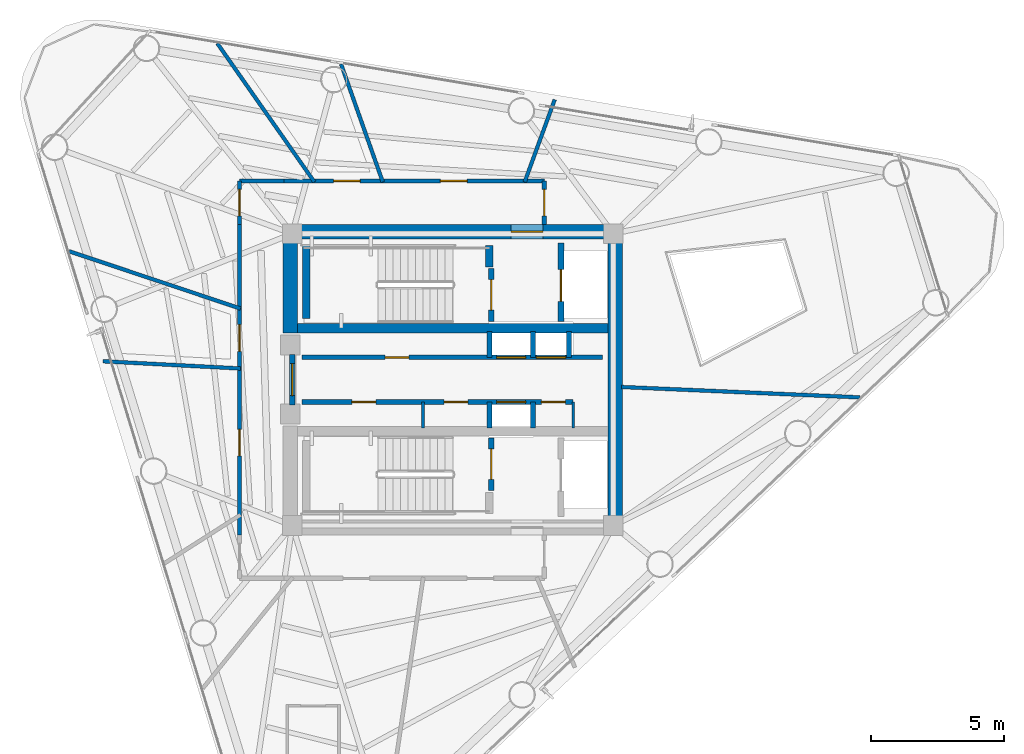
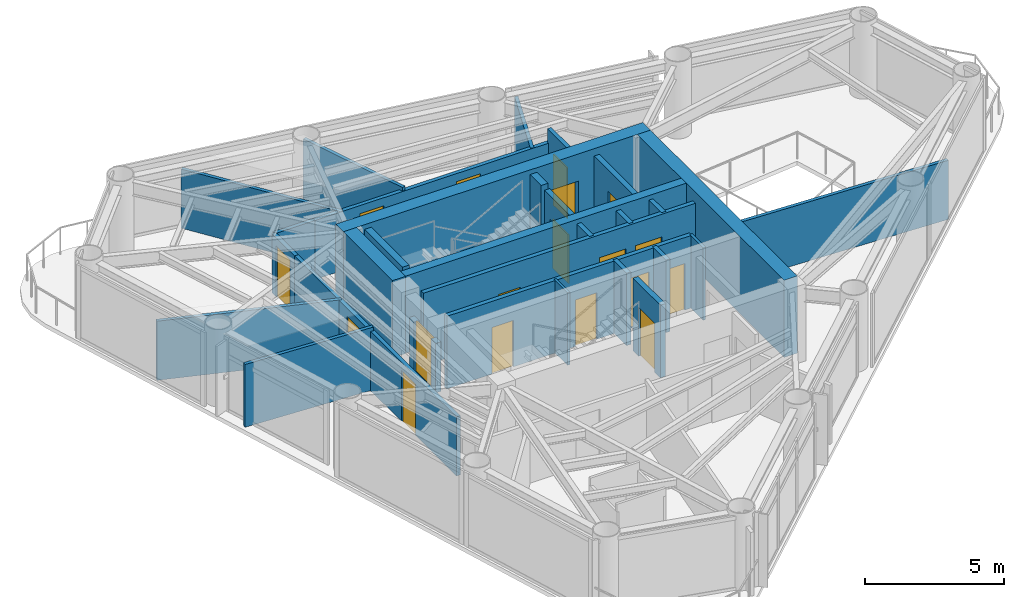
# One storey, part 6 of 9: 30 walls, 18 doors, 18 openings.
"""IFC4 building model written with IfcOpenShell, lengths in metres."""

from ifc_helpers import new_model, si_unit, direction, frame, frame_2d, origin, place, context, subcontext, project, spatial, rectangle, extrude, material, layer, layer_set, type_object, element, fill, save


model = new_model("IFC4")

# Units and contexts
model_context = context("Model", 3, precision=1e-05, world=origin(), true_north=direction((0.0, 1.0)))
body_context = subcontext(model_context, "Body", "Model", "MODEL_VIEW")
ifc_project = project(units=[si_unit("LENGTHUNIT", "METRE"), si_unit("AREAUNIT", "SQUARE_METRE"), si_unit("VOLUMEUNIT", "CUBIC_METRE"), si_unit("PLANEANGLEUNIT", "RADIAN"), si_unit("MASSUNIT", "GRAM", prefix="KILO")], contexts=[model_context])

# Site, building, storey
site_placement = place(None, origin())
site = spatial("IfcSite", under=ifc_project, at=site_placement, CompositionType="ELEMENT")
building_placement = place(site_placement, origin())
building = spatial("IfcBuilding", under=site, at=building_placement, Name="Yunling Apex Tower", CompositionType="ELEMENT")
storey_placement = place(building_placement, frame((0.0, 0.0, 228.64990234375)))
storey = spatial("IfcBuildingStorey", under=building, at=storey_placement, Name="L55", CompositionType="ELEMENT", Elevation=228.64990234375)

# Wall, opening, door
ifc_material_1 = material(Name="Concrete C40", Category="concrete")
ifc_layer_1 = layer(ifc_material_1, 0.550048828125)
ifc_layer_set_1 = layer_set([ifc_layer_1], Name="Concrete C40")
wall_type_1 = type_object("IfcWallType", Name="WL-COR-3", PredefinedType="SHEAR", material=ifc_layer_set_1)
wall_1_placement = place(storey_placement, frame((-6.39990234375, 5.574951171875, 0.0), z_axis=(0.0, 0.0, 1.0), x_axis=(1.0, 0.0, 0.0)))
wall_1 = element("IfcWall", 1, at=wall_1_placement, inside=storey, type_object=wall_type_1, Name="L55 North Core Shear Wall", PredefinedType="SHEAR", context=body_context, shape_type="SweptSolid", body=[
    extrude(rectangle(XDim=12.7998046875, YDim=0.550048828125, at=frame_2d((6.39990234375, 0.0))), origin(), (0.0, 0.0, 1.0), 3.400146484375),
])
opening_1_placement = place(wall_1_placement, frame((8.60009765625, 0.0, 0.0)))
opening_1 = element("IfcOpeningElement", 2, at=opening_1_placement, cuts=wall_1, Name="Opening DR-FFL-1", PredefinedType="OPENING", context=body_context, shape_type="SweptSolid", body=[
    extrude(rectangle(XDim=1.199951171875, YDim=2.199951171875, at=frame_2d((0.60009765625, 1.10009765625))), frame((0.0, 0.28515625, 0.0), z_axis=(0.0, -1.0, 0.0), x_axis=(1.0, 0.0, 0.0)), (0.0, 0.0, 1.0), 0.570068359375),
])
ifc_material_2 = material(Name="Steel Q355B", Category="steel")
door_type_1 = type_object("IfcDoorType", Name="DR-FFL-1", OperationType="NOTDEFINED", PredefinedType="DOOR", material=ifc_material_2)
door_1_placement = place(opening_1_placement, origin())
door_1 = element("IfcDoor", 3, at=door_1_placement, inside=storey, type_object=door_type_1, Name="L55 North Firefighting Lobby Door", OperationType="SINGLE_SWING_LEFT", OverallHeight=2.199951171875, OverallWidth=1.199951171875, PredefinedType="DOOR", context=body_context, shape_type="SweptSolid", body=[
    extrude(rectangle(XDim=1.199951171875, YDim=2.199951171875, at=frame_2d((0.60009765625, 1.10009765625))), frame((0.0, 0.02490234375, 0.0), z_axis=(0.0, -1.0, 0.0), x_axis=(1.0, 0.0, 0.0)), (0.0, 0.0, 1.0), 0.050048828125),
])
fill(opening_1, door_1)

# Walls
wall_2_placement = place(storey_placement, frame((6.125, -5.300048828125, 0.0), z_axis=(0.0, 0.0, 1.0), x_axis=(0.0, 1.0, 0.0)))
element("IfcWall", 4, at=wall_2_placement, inside=storey, type_object=wall_type_1, Name="L55 East Core Shear Wall", PredefinedType="SHEAR", context=body_context, shape_type="SweptSolid", body=[
    extrude(rectangle(XDim=10.60009765625, YDim=0.550048828125, at=frame_2d((5.300048828125, 0.0))), origin(), (0.0, 0.0, 1.0), 3.400146484375),
])
wall_3_placement = place(storey_placement, frame((-6.125, 1.75, 0.0), z_axis=(0.0, 0.0, 1.0), x_axis=(0.0, 1.0, 0.0)))
element("IfcWall", 5, at=wall_3_placement, inside=storey, type_object=wall_type_1, Name="L55 West-North Core Shear Wall", PredefinedType="SHEAR", context=body_context, shape_type="SweptSolid", body=[
    extrude(rectangle(XDim=3.550048828125, YDim=0.550048828125, at=frame_2d((1.77490234375, 0.0))), origin(), (0.0, 0.0, 1.0), 3.400146484375),
])
ifc_layer_2 = layer(ifc_material_1, 0.360107421875)
ifc_layer_set_2 = layer_set([ifc_layer_2], Name="Concrete C40")
wall_type_2 = type_object("IfcWallType", Name="WL-COR-4", PredefinedType="SHEAR", material=ifc_layer_set_2)
wall_4_placement = place(storey_placement, frame((-5.85009765625, 1.93994140625, 0.0), z_axis=(0.0, 0.0, 1.0), x_axis=(1.0, 0.0, 0.0)))
element("IfcWall", 6, at=wall_4_placement, inside=storey, type_object=wall_type_2, Name="L55 North Internal Core Shear Wall", PredefinedType="SHEAR", context=body_context, shape_type="SweptSolid", body=[
    extrude(rectangle(XDim=11.7001953125, YDim=0.360107421875, at=frame_2d((5.85009765625, 0.0))), origin(), (0.0, 0.0, 1.0), 3.400146484375),
])
ifc_layer_3 = layer(ifc_material_1, 0.280029296875)
ifc_layer_set_3 = layer_set([ifc_layer_3], Name="Concrete C40")
wall_type_3 = type_object("IfcWallType", Name="WL-COR-8", PredefinedType="SHEAR", material=ifc_layer_set_3)
wall_5_placement = place(storey_placement, frame((-5.52001953125, 2.300048828125, 0.0), z_axis=(0.0, 0.0, 1.0), x_axis=(0.0, 1.0, 0.0)))
element("IfcWall", 7, at=wall_5_placement, inside=storey, type_object=wall_type_3, Name="L55 ST-1 West Landing Bearing Wall", PredefinedType="SHEAR", context=body_context, shape_type="SweptSolid", body=[
    extrude(rectangle(XDim=2.75, YDim=0.280029296875, at=frame_2d((1.375, 0.0))), origin(), (0.0, 0.0, 1.0), 3.400146484375),
])
wall_6_placement = place(storey_placement, frame((1.3798828125, 4.25, 0.0), z_axis=(0.0, 0.0, 1.0), x_axis=(0.0, 1.0, 0.0)))
element("IfcWall", 8, at=wall_6_placement, inside=storey, type_object=wall_type_3, Name="L55 ST-1 East Landing Bearing Pier", PredefinedType="SHEAR", context=body_context, shape_type="SweptSolid", body=[
    extrude(rectangle(XDim=0.800048828125, YDim=0.280029296875, at=frame_2d((0.39990234375, 0.0))), origin(), (0.0, 0.0, 1.0), 3.400146484375),
])

# Wall, opening, door
ifc_material_3 = material(Name="Gypsum board acoustic partition")
ifc_layer_4 = layer(ifc_material_3, 0.159912109375)
ifc_layer_set_4 = layer_set([ifc_layer_4], Name="Gypsum board acoustic partition")
wall_type_4 = type_object("IfcWallType", Name="WL-PRT-1", PredefinedType="PARTITIONING", material=ifc_layer_set_4)
wall_7_placement = place(storey_placement, frame((-8.0400390625, 5.85009765625, 0.0), z_axis=(0.0, 0.0, 1.0), x_axis=(0.0, 1.0, 0.0)))
wall_7 = element("IfcWall", 9, at=wall_7_placement, inside=storey, type_object=wall_type_4, Name="WL-CORR-L55-01", PredefinedType="PARTITIONING", context=body_context, shape_type="SweptSolid", body=[
    extrude(rectangle(XDim=1.639892578125, YDim=0.159912109375, at=frame_2d((0.81982421875, 0.0))), origin(), (0.0, 0.0, 1.0), 2.60498046875),
])
opening_2_placement = place(wall_7_placement, frame((0.320068359375, 0.0, 0.0)))
opening_2 = element("IfcOpeningElement", 10, at=opening_2_placement, cuts=wall_7, Name="Opening DR-OFF-1", PredefinedType="OPENING", context=body_context, shape_type="SweptSolid", body=[
    extrude(rectangle(XDim=1.0, YDim=2.25, at=frame_2d((0.5, 1.125))), frame((0.0, 0.08984375, 0.0), z_axis=(0.0, -1.0, 0.0), x_axis=(1.0, 0.0, 0.0)), (0.0, 0.0, 1.0), 0.179931640625),
])
ifc_material_4 = material(Name="Bronze anodised aluminium", Category="aluminium")
door_type_2 = type_object("IfcDoorType", Name="DR-OFF-1", OperationType="NOTDEFINED", PredefinedType="DOOR", material=ifc_material_4)
door_2_placement = place(opening_2_placement, origin())
door_2 = element("IfcDoor", 11, at=door_2_placement, inside=storey, type_object=door_type_2, Name="L55 Residents Sky Reading Lounge Door", OperationType="SINGLE_SWING_LEFT", OverallHeight=2.25, OverallWidth=1.0, PredefinedType="DOOR", context=body_context, shape_type="SweptSolid", body=[
    extrude(rectangle(XDim=1.0, YDim=2.25, at=frame_2d((0.5, 1.125))), frame((0.0, 0.02490234375, 0.0), z_axis=(0.0, -1.0, 0.0), x_axis=(1.0, 0.0, 0.0)), (0.0, 0.0, 1.0), 0.050048828125),
])
fill(opening_2, door_2)

# Wall
wall_8_placement = place(storey_placement, frame((-8.0400390625, 7.489990234375, 0.0), z_axis=(0.0, 0.0, 1.0), x_axis=(1.0, 0.0, 0.0)))
element("IfcWall", 12, at=wall_8_placement, inside=storey, type_object=wall_type_4, Name="WL-CORR-L55-02", PredefinedType="PARTITIONING", context=body_context, shape_type="SweptSolid", body=[
    extrude(rectangle(XDim=1.679931640625, YDim=0.159912109375, at=frame_2d((0.83984375, 0.0))), origin(), (0.0, 0.0, 1.0), 2.60498046875),
])

# Wall, openings, doors
wall_9_placement = place(storey_placement, frame((-6.360107421875, 7.489990234375, 0.0), z_axis=(0.0, 0.0, 1.0), x_axis=(1.0, 0.0, 0.0)))
wall_9 = element("IfcWall", 13, at=wall_9_placement, inside=storey, type_object=wall_type_4, Name="WL-CORR-L55-03", PredefinedType="PARTITIONING", context=body_context, shape_type="SweptSolid", body=[
    extrude(rectangle(XDim=9.81005859375, YDim=0.159912109375, at=frame_2d((4.905029296875, 0.0))), origin(), (0.0, 0.0, 1.0), 2.60498046875),
])
opening_3_placement = place(wall_9_placement, frame((1.866943359375, 0.0, 0.0)))
opening_3 = element("IfcOpeningElement", 14, at=opening_3_placement, cuts=wall_9, Name="Opening DR-OFF-1", PredefinedType="OPENING", context=body_context, shape_type="SweptSolid", body=[
    extrude(rectangle(XDim=1.0, YDim=2.25, at=frame_2d((0.5, 1.125))), frame((0.0, 0.08984375, 0.0), z_axis=(0.0, -1.0, 0.0), x_axis=(1.0, 0.0, 0.0)), (0.0, 0.0, 1.0), 0.179931640625),
])
opening_4_placement = place(wall_9_placement, frame((5.897216796875, 0.0, 0.0)))
opening_4 = element("IfcOpeningElement", 15, at=opening_4_placement, cuts=wall_9, Name="Opening DR-OFF-1", PredefinedType="OPENING", context=body_context, shape_type="SweptSolid", body=[
    extrude(rectangle(XDim=1.0, YDim=2.25, at=frame_2d((0.5, 1.125))), frame((0.0, 0.08984375, 0.0), z_axis=(0.0, -1.0, 0.0), x_axis=(1.0, 0.0, 0.0)), (0.0, 0.0, 1.0), 0.179931640625),
])
door_3_placement = place(opening_3_placement, origin())
door_3 = element("IfcDoor", 16, at=door_3_placement, inside=storey, type_object=door_type_2, Name="L55 Residents Fitness Club Door", OperationType="SINGLE_SWING_RIGHT", OverallHeight=2.25, OverallWidth=1.0, PredefinedType="DOOR", context=body_context, shape_type="SweptSolid", body=[
    extrude(rectangle(XDim=1.0, YDim=2.25, at=frame_2d((0.5, 1.125))), frame((0.0, 0.02490234375, 0.0), z_axis=(0.0, -1.0, 0.0), x_axis=(1.0, 0.0, 0.0)), (0.0, 0.0, 1.0), 0.050048828125),
])
fill(opening_3, door_3)
door_4_placement = place(opening_4_placement, origin())
door_4 = element("IfcDoor", 17, at=door_4_placement, inside=storey, type_object=door_type_2, Name="L55 Residents Sky Reading Lounge Door", OperationType="SINGLE_SWING_LEFT", OverallHeight=2.25, OverallWidth=1.0, PredefinedType="DOOR", context=body_context, shape_type="SweptSolid", body=[
    extrude(rectangle(XDim=1.0, YDim=2.25, at=frame_2d((0.5, 1.125))), frame((0.0, 0.02490234375, 0.0), z_axis=(0.0, -1.0, 0.0), x_axis=(1.0, 0.0, 0.0)), (0.0, 0.0, 1.0), 0.050048828125),
])
fill(opening_4, door_4)

# Wall, opening, door
wall_10_placement = place(storey_placement, frame((3.449951171875, 7.489990234375, 0.0), z_axis=(0.0, 0.0, 1.0), x_axis=(0.0, -1.0, 0.0)))
wall_10 = element("IfcWall", 18, at=wall_10_placement, inside=storey, type_object=wall_type_4, Name="WL-CORR-L55-04", PredefinedType="PARTITIONING", context=body_context, shape_type="SweptSolid", body=[
    extrude(rectangle(XDim=1.639892578125, YDim=0.159912109375, at=frame_2d((0.81982421875, 0.0))), origin(), (0.0, 0.0, 1.0), 3.2001953125),
])
opening_5_placement = place(wall_10_placement, frame((0.320068359375, 0.0, 0.0)))
opening_5 = element("IfcOpeningElement", 19, at=opening_5_placement, cuts=wall_10, Name="Opening DR-OFF-1", PredefinedType="OPENING", context=body_context, shape_type="SweptSolid", body=[
    extrude(rectangle(XDim=1.0, YDim=2.25, at=frame_2d((0.5, 1.125))), frame((0.0, 0.08984375, 0.0), z_axis=(0.0, -1.0, 0.0), x_axis=(1.0, 0.0, 0.0)), (0.0, 0.0, 1.0), 0.179931640625),
])
door_5_placement = place(opening_5_placement, origin())
door_5 = element("IfcDoor", 20, at=door_5_placement, inside=storey, type_object=door_type_2, Name="L55 Residents Fitness Club Door", OperationType="SINGLE_SWING_RIGHT", OverallHeight=2.25, OverallWidth=1.0, PredefinedType="DOOR", context=body_context, shape_type="SweptSolid", body=[
    extrude(rectangle(XDim=1.0, YDim=2.25, at=frame_2d((0.5, 1.125))), frame((0.0, 0.02490234375, 0.0), z_axis=(0.0, -1.0, 0.0), x_axis=(1.0, 0.0, 0.0)), (0.0, 0.0, 1.0), 0.050048828125),
])
fill(opening_5, door_5)

# Wall, openings, doors
wall_11_placement = place(storey_placement, frame((-8.0400390625, -5.85009765625, 0.0), z_axis=(0.0, 0.0, 1.0), x_axis=(0.0, 1.0, 0.0)))
wall_11 = element("IfcWall", 21, at=wall_11_placement, inside=storey, type_object=wall_type_4, Name="WL-CORR-L55-09", PredefinedType="PARTITIONING", context=body_context, shape_type="SweptSolid", body=[
    extrude(rectangle(XDim=11.7001953125, YDim=0.159912109375, at=frame_2d((5.85009765625, 0.0))), origin(), (0.0, 0.0, 1.0), 2.60498046875),
])
opening_6_placement = place(wall_11_placement, frame((2.97705078125, 0.0, 0.0)))
opening_6 = element("IfcOpeningElement", 22, at=opening_6_placement, cuts=wall_11, Name="Opening DR-OFF-1", PredefinedType="OPENING", context=body_context, shape_type="SweptSolid", body=[
    extrude(rectangle(XDim=1.0, YDim=2.25, at=frame_2d((0.5, 1.125))), frame((0.0, 0.08984375, 0.0), z_axis=(0.0, -1.0, 0.0), x_axis=(1.0, 0.0, 0.0)), (0.0, 0.0, 1.0), 0.179931640625),
])
opening_7_placement = place(wall_11_placement, frame((6.91943359375, 0.0, 0.0)))
opening_7 = element("IfcOpeningElement", 23, at=opening_7_placement, cuts=wall_11, Name="Opening DR-OFF-1", PredefinedType="OPENING", context=body_context, shape_type="SweptSolid", body=[
    extrude(rectangle(XDim=1.0, YDim=2.25, at=frame_2d((0.5, 1.125))), frame((0.0, 0.08984375, 0.0), z_axis=(0.0, -1.0, 0.0), x_axis=(1.0, 0.0, 0.0)), (0.0, 0.0, 1.0), 0.179931640625),
])
door_6_placement = place(opening_6_placement, origin())
door_6 = element("IfcDoor", 24, at=door_6_placement, inside=storey, type_object=door_type_2, Name="L55 Residents Sky Reading Lounge Door", OperationType="SINGLE_SWING_LEFT", OverallHeight=2.25, OverallWidth=1.0, PredefinedType="DOOR", context=body_context, shape_type="SweptSolid", body=[
    extrude(rectangle(XDim=1.0, YDim=2.25, at=frame_2d((0.5, 1.125))), frame((0.0, 0.02490234375, 0.0), z_axis=(0.0, -1.0, 0.0), x_axis=(1.0, 0.0, 0.0)), (0.0, 0.0, 1.0), 0.050048828125),
])
fill(opening_6, door_6)
door_7_placement = place(opening_7_placement, origin())
door_7 = element("IfcDoor", 25, at=door_7_placement, inside=storey, type_object=door_type_2, Name="L55 Residents Fitness Club Door", OperationType="SINGLE_SWING_RIGHT", OverallHeight=2.25, OverallWidth=1.0, PredefinedType="DOOR", context=body_context, shape_type="SweptSolid", body=[
    extrude(rectangle(XDim=1.0, YDim=2.25, at=frame_2d((0.5, 1.125))), frame((0.0, 0.02490234375, 0.0), z_axis=(0.0, -1.0, 0.0), x_axis=(1.0, 0.0, 0.0)), (0.0, 0.0, 1.0), 0.050048828125),
])
fill(opening_7, door_7)

# Walls
ifc_layer_5 = layer(ifc_material_3, 0.139892578125)
ifc_layer_set_5 = layer_set([ifc_layer_5], Name="Gypsum board acoustic partition")
wall_type_5 = type_object("IfcWallType", Name="WL-PRT-2", PredefinedType="PARTITIONING", material=ifc_layer_set_5)
wall_12_placement = place(storey_placement, frame((6.360107421875, -0.277587890625, 0.0), z_axis=(0.0, 0.0, 1.0), x_axis=(0.99904773846, -0.043630451279, 0.0)))
element("IfcWall", 26, at=wall_12_placement, inside=storey, type_object=wall_type_5, Name="WL-RAD-L55-01", PredefinedType="PARTITIONING", context=body_context, shape_type="SweptSolid", body=[
    extrude(rectangle(XDim=8.9921875, YDim=0.139892578125, at=frame_2d((4.49609375, 0.0))), origin(), (0.0, 0.0, 1.0), 2.60498046875),
])
wall_13_placement = place(storey_placement, frame((2.711669921875, 7.449951171875, 0.0), z_axis=(0.0, 0.0, 1.0), x_axis=(0.341974588874, 0.9397092, 0.0)))
element("IfcWall", 27, at=wall_13_placement, inside=storey, type_object=wall_type_5, Name="WL-RAD-L55-02", PredefinedType="PARTITIONING", context=body_context, shape_type="SweptSolid", body=[
    extrude(rectangle(XDim=3.3017578125, YDim=0.139892578125, at=frame_2d((1.65087890625, 0.0))), origin(), (0.0, 0.0, 1.0), 2.60498046875),
])
wall_14_placement = place(storey_placement, frame((-2.63818359375, 7.449951171875, 0.0), z_axis=(0.0, 0.0, 1.0), x_axis=(-0.333819345572, 0.942637069355, 0.0)))
element("IfcWall", 28, at=wall_14_placement, inside=storey, type_object=wall_type_5, Name="WL-RAD-L55-03", PredefinedType="PARTITIONING", context=body_context, shape_type="SweptSolid", body=[
    extrude(rectangle(XDim=4.715087890625, YDim=0.139892578125, at=frame_2d((2.357421875, 0.0))), origin(), (0.0, 0.0, 1.0), 2.76513671875),
])
wall_15_placement = place(storey_placement, frame((-5.216552734375, 7.449951171875, 0.0), z_axis=(0.0, 0.0, 1.0), x_axis=(-0.573578024676, 0.819150932129, 0.0)))
element("IfcWall", 29, at=wall_15_placement, inside=storey, type_object=wall_type_5, Name="WL-RAD-L55-04", PredefinedType="PARTITIONING", context=body_context, shape_type="SweptSolid", body=[
    extrude(rectangle(XDim=6.37353515625, YDim=0.139892578125, at=frame_2d((3.186767578125, 0.0))), origin(), (0.0, 0.0, 1.0), 2.60498046875),
])
wall_16_placement = place(storey_placement, frame((-8.0, 2.6767578125, 0.0), z_axis=(0.0, 0.0, 1.0), x_axis=(-0.948324112853, 0.317303288639, 0.0)))
element("IfcWall", 30, at=wall_16_placement, inside=storey, type_object=wall_type_5, Name="WL-RAD-L55-05", PredefinedType="PARTITIONING", context=body_context, shape_type="SweptSolid", body=[
    extrude(rectangle(XDim=6.80859375, YDim=0.139892578125, at=frame_2d((3.404296875, 0.0))), origin(), (0.0, 0.0, 1.0), 2.60498046875),
])
wall_17_placement = place(storey_placement, frame((-8.0, 0.419189453125, 0.0), z_axis=(0.0, 0.0, 1.0), x_axis=(-0.998629485047, 0.052336904702, 0.0)))
element("IfcWall", 31, at=wall_17_placement, inside=storey, type_object=wall_type_5, Name="WL-RAD-L55-06", PredefinedType="PARTITIONING", context=body_context, shape_type="SweptSolid", body=[
    extrude(rectangle(XDim=5.196533203125, YDim=0.139892578125, at=frame_2d((2.59814453125, 0.0))), origin(), (0.0, 0.0, 1.0), 2.76513671875),
])
ifc_layer_6 = layer(ifc_material_3, 0.10009765625)
ifc_layer_set_6 = layer_set([ifc_layer_6], Name="Gypsum board acoustic partition")
wall_type_6 = type_object("IfcWallType", Name="WL-PRT-4", PredefinedType="PARTITIONING", material=ifc_layer_set_6)
for number, where, z_axis, x_axis, name in (
    (32, (-1.1201171875, -1.820068359375, 0.0), (0.0, 0.0, 1.0), (0.0, 1.0, 0.0), "WL-RECLMA-S-L55"),
    (33, (4.5400390625, -1.820068359375, 0.0), (0.0, 0.0, 1.0), (0.0, 1.0, 0.0), "WL-KASE-E-L55"),
):
    element("IfcWall", number, at=place(storey_placement, frame(where, z_axis=z_axis, x_axis=x_axis)), inside=storey, type_object=wall_type_6, Name=name, PredefinedType="PARTITIONING", context=body_context, shape_type="SweptSolid", body=[
        extrude(rectangle(XDim=0.97998046875, YDim=0.10009765625, at=frame_2d((0.489990234375, 0.0))), origin(), (0.0, 0.0, 1.0), 3.2001953125),
    ])

# Wall, opening, door
ifc_material_5 = material(Name="Autoclaved aerated concrete masonry", Category="masonry")
ifc_layer_7 = layer(ifc_material_5, 0.219970703125)
ifc_layer_set_7 = layer_set([ifc_layer_7], Name="Autoclaved aerated concrete masonry")
wall_type_7 = type_object("IfcWallType", Name="WL-SHF-1", PredefinedType="PLUMBINGWALL", material=ifc_layer_set_7)
wall_18_placement = place(storey_placement, frame((-6.050048828125, -0.949951171875, 0.0), z_axis=(0.0, 0.0, 1.0), x_axis=(0.0, 1.0, 0.0)))
wall_18 = element("IfcWall", 34, at=wall_18_placement, inside=storey, type_object=wall_type_7, Name="WL-COR-WPORT-L55", PredefinedType="PLUMBINGWALL", context=body_context, shape_type="SweptSolid", body=[
    extrude(rectangle(XDim=1.89990234375, YDim=0.219970703125, at=frame_2d((0.949951171875, 0.0))), origin(), (0.0, 0.0, 1.0), 2.18017578125),
])
opening_8_placement = place(wall_18_placement, frame((0.35009765625, 0.0, 0.0)))
opening_8 = element("IfcOpeningElement", 35, at=opening_8_placement, cuts=wall_18, Name="Opening DR-FFL-1", PredefinedType="OPENING", context=body_context, shape_type="SweptSolid", body=[
    extrude(rectangle(XDim=1.199951171875, YDim=2.199951171875, at=frame_2d((0.60009765625, 1.10009765625))), frame((0.0, 0.1201171875, 0.0), z_axis=(0.0, -1.0, 0.0), x_axis=(1.0, 0.0, 0.0)), (0.0, 0.0, 1.0), 0.239990234375),
])
door_8_placement = place(opening_8_placement, origin())
door_8 = element("IfcDoor", 36, at=door_8_placement, inside=storey, type_object=door_type_1, Name="L55 Passenger Lift Lobby Entrance Door", OperationType="SINGLE_SWING_LEFT", OverallHeight=2.199951171875, OverallWidth=1.199951171875, PredefinedType="DOOR", context=body_context, shape_type="SweptSolid", body=[
    extrude(rectangle(XDim=1.199951171875, YDim=2.199951171875, at=frame_2d((0.60009765625, 1.10009765625))), frame((0.0, 0.02490234375, 0.0), z_axis=(0.0, -1.0, 0.0), x_axis=(1.0, 0.0, 0.0)), (0.0, 0.0, 1.0), 0.050048828125),
])
fill(opening_8, door_8)

wall_19_placement = place(storey_placement, frame((1.449951171875, 2.199951171875, 0.0), z_axis=(0.0, 0.0, 1.0), x_axis=(0.0, 1.0, 0.0)))
wall_19 = element("IfcWall", 37, at=wall_19_placement, inside=storey, type_object=wall_type_7, Name="WL-ST1-E-L55", PredefinedType="PLUMBINGWALL", context=body_context, shape_type="SweptSolid", body=[
    extrude(rectangle(XDim=1.97998046875, YDim=0.219970703125, at=frame_2d((0.989990234375, 0.0))), origin(), (0.0, 0.0, 1.0), 3.2001953125),
])
opening_9_placement = place(wall_19_placement, frame((0.419921875, 0.0, 0.0)))
opening_9 = element("IfcOpeningElement", 38, at=opening_9_placement, cuts=wall_19, Name="Opening DR-ST-1", PredefinedType="OPENING", context=body_context, shape_type="SweptSolid", body=[
    extrude(rectangle(XDim=1.14990234375, YDim=2.14990234375, at=frame_2d((0.574951171875, 1.074951171875))), frame((0.0, 0.1201171875, 0.0), z_axis=(0.0, -1.0, 0.0), x_axis=(1.0, 0.0, 0.0)), (0.0, 0.0, 1.0), 0.239990234375),
])
door_type_3 = type_object("IfcDoorType", Name="DR-ST-1", OperationType="NOTDEFINED", PredefinedType="DOOR", material=ifc_material_2)
door_9_placement = place(opening_9_placement, origin())
door_9 = element("IfcDoor", 39, at=door_9_placement, inside=storey, type_object=door_type_3, Name="L55 Stair ST-1 Fire Door", OperationType="SINGLE_SWING_RIGHT", OverallHeight=2.14990234375, OverallWidth=1.14990234375, PredefinedType="DOOR", context=body_context, shape_type="SweptSolid", body=[
    extrude(rectangle(XDim=1.14990234375, YDim=2.14990234375, at=frame_2d((0.574951171875, 1.074951171875))), frame((0.0, 0.02490234375, 0.0), z_axis=(0.0, -1.0, 0.0), x_axis=(1.0, 0.0, 0.0)), (0.0, 0.0, 1.0), 0.050048828125),
])
fill(opening_9, door_9)

wall_20_placement = place(storey_placement, frame((4.080078125, 2.199951171875, 0.0), z_axis=(0.0, 0.0, 1.0), x_axis=(0.0, 1.0, 0.0)))
wall_20 = element("IfcWall", 40, at=wall_20_placement, inside=storey, type_object=wall_type_7, Name="WL-FFL1-W-L55", PredefinedType="PLUMBINGWALL", context=body_context, shape_type="SweptSolid", body=[
    extrude(rectangle(XDim=2.949951171875, YDim=0.219970703125, at=frame_2d((1.47509765625, 0.0))), origin(), (0.0, 0.0, 1.0), 3.2001953125),
])
opening_10_placement = place(wall_20_placement, frame((0.75, 0.0, 0.0)))
opening_10 = element("IfcOpeningElement", 41, at=opening_10_placement, cuts=wall_20, Name="Opening LD-FFL-1", PredefinedType="OPENING", context=body_context, shape_type="SweptSolid", body=[
    extrude(rectangle(XDim=1.199951171875, YDim=2.25, at=frame_2d((0.60009765625, 1.125))), frame((0.0, 0.1201171875, 0.0), z_axis=(0.0, -1.0, 0.0), x_axis=(1.0, 0.0, 0.0)), (0.0, 0.0, 1.0), 0.239990234375),
])
door_type_4 = type_object("IfcDoorType", Name="LD-FFL-1", OperationType="DOUBLE_DOOR_SLIDING", PredefinedType="DOOR", material=ifc_material_2)
door_10_placement = place(opening_10_placement, origin())
door_10 = element("IfcDoor", 42, at=door_10_placement, inside=storey, type_object=door_type_4, Name="L55 Lift FFL-1 Landing Door", OperationType="DOUBLE_DOOR_SLIDING", OverallHeight=2.25, OverallWidth=1.199951171875, PredefinedType="DOOR", context=body_context, shape_type="SweptSolid", body=[
    extrude(rectangle(XDim=1.199951171875, YDim=2.25, at=frame_2d((0.60009765625, 1.125))), frame((0.0, 0.02490234375, 0.0), z_axis=(0.0, -1.0, 0.0), x_axis=(1.0, 0.0, 0.0)), (0.0, 0.0, 1.0), 0.050048828125),
])
fill(opening_10, door_10)

wall_21_placement = place(storey_placement, frame((1.449951171875, -4.179931640625, 0.0), z_axis=(0.0, 0.0, 1.0), x_axis=(0.0, 1.0, 0.0)))
wall_21 = element("IfcWall", 43, at=wall_21_placement, inside=storey, type_object=wall_type_7, Name="WL-ST2-E-L55", PredefinedType="PLUMBINGWALL", context=body_context, shape_type="SweptSolid", body=[
    extrude(rectangle(XDim=1.97998046875, YDim=0.219970703125, at=frame_2d((0.989990234375, 0.0))), origin(), (0.0, 0.0, 1.0), 3.2001953125),
])
opening_11_placement = place(wall_21_placement, frame((0.419921875, 0.0, 0.0)))
opening_11 = element("IfcOpeningElement", 44, at=opening_11_placement, cuts=wall_21, Name="Opening DR-ST-1", PredefinedType="OPENING", context=body_context, shape_type="SweptSolid", body=[
    extrude(rectangle(XDim=1.14990234375, YDim=2.14990234375, at=frame_2d((0.574951171875, 1.074951171875))), frame((0.0, 0.1201171875, 0.0), z_axis=(0.0, -1.0, 0.0), x_axis=(1.0, 0.0, 0.0)), (0.0, 0.0, 1.0), 0.239990234375),
])
door_11_placement = place(opening_11_placement, origin())
door_11 = element("IfcDoor", 45, at=door_11_placement, inside=storey, type_object=door_type_3, Name="L55 Stair ST-2 Fire Door", OperationType="SINGLE_SWING_LEFT", OverallHeight=2.14990234375, OverallWidth=1.14990234375, PredefinedType="DOOR", context=body_context, shape_type="SweptSolid", body=[
    extrude(rectangle(XDim=1.14990234375, YDim=2.14990234375, at=frame_2d((0.574951171875, 1.074951171875))), frame((0.0, 0.02490234375, 0.0), z_axis=(0.0, -1.0, 0.0), x_axis=(1.0, 0.0, 0.0)), (0.0, 0.0, 1.0), 0.050048828125),
])
fill(opening_11, door_11)

# Walls
ifc_layer_8 = layer(ifc_material_5, 0.179931640625)
ifc_layer_set_8 = layer_set([ifc_layer_8], Name="Autoclaved aerated concrete masonry")
wall_type_8 = type_object("IfcWallType", Name="WL-SHF-2", PredefinedType="PLUMBINGWALL", material=ifc_layer_set_8)
for number, where, z_axis, x_axis, name in (
    (46, (1.3798828125, 0.840087890625, 0.0), (0.0, 0.0, 1.0), (0.0, 1.0, 0.0), "WL-BNK-MH-N-L55"),
    (47, (1.3798828125, -1.820068359375, 0.0), (0.0, 0.0, 1.0), (0.0, 1.0, 0.0), "WL-BNK-MH-S-L55"),
    (48, (3.02001953125, 0.840087890625, 0.0), (0.0, 0.0, 1.0), (0.0, 1.0, 0.0), "WL-DIV-H13-L55"),
    (49, (4.3798828125, 0.840087890625, 0.0), (0.0, 0.0, 1.0), (0.0, 1.0, 0.0), "WL-END-H3E-L55"),
    (50, (3.02001953125, -1.820068359375, 0.0), (0.0, 0.0, 1.0), (0.0, 1.0, 0.0), "WL-END-H2E-L55"),
):
    element("IfcWall", number, at=place(storey_placement, frame(where, z_axis=z_axis, x_axis=x_axis)), inside=storey, type_object=wall_type_8, Name=name, PredefinedType="PLUMBINGWALL", context=body_context, shape_type="SweptSolid", body=[
        extrude(rectangle(XDim=0.97998046875, YDim=0.179931640625, at=frame_2d((0.489990234375, 0.0))), origin(), (0.0, 0.0, 1.0), 3.2001953125),
    ])

# Wall, openings, doors
wall_22_placement = place(storey_placement, frame((-5.679931640625, 0.840087890625, 0.0), z_axis=(0.0, 0.0, 1.0), x_axis=(1.0, 0.0, 0.0)))
wall_22 = element("IfcWall", 51, at=wall_22_placement, inside=storey, type_object=wall_type_8, Name="WL-LOB-N-L55", PredefinedType="PLUMBINGWALL", context=body_context, shape_type="SweptSolid", body=[
    extrude(rectangle(XDim=11.329833984375, YDim=0.179931640625, at=frame_2d((5.6650390625, 0.0))), origin(), (0.0, 0.0, 1.0), 3.2001953125),
])
opening_12_placement = place(wall_22_placement, frame((3.1298828125, 0.0, 0.0)))
opening_12 = element("IfcOpeningElement", 52, at=opening_12_placement, cuts=wall_22, Name="Opening DR-SHF-1", PredefinedType="OPENING", context=body_context, shape_type="SweptSolid", body=[
    extrude(rectangle(XDim=0.89990234375, YDim=2.050048828125, at=frame_2d((0.449951171875, 1.02490234375))), frame((0.0, 0.10009765625, 0.0), z_axis=(0.0, -1.0, 0.0), x_axis=(1.0, 0.0, 0.0)), (0.0, 0.0, 1.0), 0.199951171875),
])
opening_13_placement = place(wall_22_placement, frame((7.330078125, 0.0, 0.0)))
opening_13 = element("IfcOpeningElement", 53, at=opening_13_placement, cuts=wall_22, Name="Opening LD-PAS-1", PredefinedType="OPENING", context=body_context, shape_type="SweptSolid", body=[
    extrude(rectangle(XDim=1.10009765625, YDim=2.199951171875, at=frame_2d((0.550048828125, 1.10009765625))), frame((0.0, 0.10009765625, 0.0), z_axis=(0.0, -1.0, 0.0), x_axis=(1.0, 0.0, 0.0)), (0.0, 0.0, 1.0), 0.199951171875),
])
opening_14_placement = place(wall_22_placement, frame((8.830078125, 0.0, 0.0)))
opening_14 = element("IfcOpeningElement", 54, at=opening_14_placement, cuts=wall_22, Name="Opening LD-PAS-1", PredefinedType="OPENING", context=body_context, shape_type="SweptSolid", body=[
    extrude(rectangle(XDim=1.10009765625, YDim=2.199951171875, at=frame_2d((0.550048828125, 1.10009765625))), frame((0.0, 0.10009765625, 0.0), z_axis=(0.0, -1.0, 0.0), x_axis=(1.0, 0.0, 0.0)), (0.0, 0.0, 1.0), 0.199951171875),
])
door_type_5 = type_object("IfcDoorType", Name="DR-SHF-1", OperationType="NOTDEFINED", PredefinedType="DOOR", material=ifc_material_2)
door_12_placement = place(opening_12_placement, origin())
door_12 = element("IfcDoor", 55, at=door_12_placement, inside=storey, type_object=door_type_5, Name="L55 Archive Store Door", OperationType="SINGLE_SWING_RIGHT", OverallHeight=2.050048828125, OverallWidth=0.89990234375, PredefinedType="DOOR", context=body_context, shape_type="SweptSolid", body=[
    extrude(rectangle(XDim=0.89990234375, YDim=2.050048828125, at=frame_2d((0.449951171875, 1.02490234375))), frame((0.0, 0.02490234375, 0.0), z_axis=(0.0, -1.0, 0.0), x_axis=(1.0, 0.0, 0.0)), (0.0, 0.0, 1.0), 0.050048828125),
])
fill(opening_12, door_12)
ifc_material_6 = material(Name="Silver anodised aluminium", Category="aluminium")
door_type_6 = type_object("IfcDoorType", Name="LD-PAS-1", OperationType="DOUBLE_DOOR_SLIDING", PredefinedType="DOOR", material=ifc_material_6)
door_13_placement = place(opening_13_placement, origin())
door_13 = element("IfcDoor", 56, at=door_13_placement, inside=storey, type_object=door_type_6, Name="L55 Lift PL-H1 Landing Door", OperationType="DOUBLE_DOOR_SLIDING", OverallHeight=2.199951171875, OverallWidth=1.10009765625, PredefinedType="DOOR", context=body_context, shape_type="SweptSolid", body=[
    extrude(rectangle(XDim=1.10009765625, YDim=2.199951171875, at=frame_2d((0.550048828125, 1.10009765625))), frame((0.0, 0.02490234375, 0.0), z_axis=(0.0, -1.0, 0.0), x_axis=(1.0, 0.0, 0.0)), (0.0, 0.0, 1.0), 0.050048828125),
])
fill(opening_13, door_13)
door_14_placement = place(opening_14_placement, origin())
door_14 = element("IfcDoor", 57, at=door_14_placement, inside=storey, type_object=door_type_6, Name="L55 Lift PL-H3 Landing Door", OperationType="DOUBLE_DOOR_SLIDING", OverallHeight=2.199951171875, OverallWidth=1.10009765625, PredefinedType="DOOR", context=body_context, shape_type="SweptSolid", body=[
    extrude(rectangle(XDim=1.10009765625, YDim=2.199951171875, at=frame_2d((0.550048828125, 1.10009765625))), frame((0.0, 0.02490234375, 0.0), z_axis=(0.0, -1.0, 0.0), x_axis=(1.0, 0.0, 0.0)), (0.0, 0.0, 1.0), 0.050048828125),
])
fill(opening_14, door_14)

wall_23_placement = place(storey_placement, frame((-5.679931640625, -0.840087890625, 0.0), z_axis=(0.0, 0.0, 1.0), x_axis=(1.0, 0.0, 0.0)))
wall_23 = element("IfcWall", 58, at=wall_23_placement, inside=storey, type_object=wall_type_8, Name="WL-LOB-S-L55", PredefinedType="PLUMBINGWALL", context=body_context, shape_type="SweptSolid", body=[
    extrude(rectangle(XDim=10.219970703125, YDim=0.179931640625, at=frame_2d((5.10986328125, 0.0))), origin(), (0.0, 0.0, 1.0), 3.2001953125),
])
opening_15_placement = place(wall_23_placement, frame((1.8798828125, 0.0, 0.0)))
opening_15 = element("IfcOpeningElement", 59, at=opening_15_placement, cuts=wall_23, Name="Opening DR-SHF-1", PredefinedType="OPENING", context=body_context, shape_type="SweptSolid", body=[
    extrude(rectangle(XDim=0.89990234375, YDim=2.050048828125, at=frame_2d((0.449951171875, 1.02490234375))), frame((0.0, 0.10009765625, 0.0), z_axis=(0.0, -1.0, 0.0), x_axis=(1.0, 0.0, 0.0)), (0.0, 0.0, 1.0), 0.199951171875),
])
opening_16_placement = place(wall_23_placement, frame((5.35009765625, 0.0, 0.0)))
opening_16 = element("IfcOpeningElement", 60, at=opening_16_placement, cuts=wall_23, Name="Opening DR-SHF-1", PredefinedType="OPENING", context=body_context, shape_type="SweptSolid", body=[
    extrude(rectangle(XDim=0.89990234375, YDim=2.050048828125, at=frame_2d((0.449951171875, 1.02490234375))), frame((0.0, 0.10009765625, 0.0), z_axis=(0.0, -1.0, 0.0), x_axis=(1.0, 0.0, 0.0)), (0.0, 0.0, 1.0), 0.199951171875),
])
opening_17_placement = place(wall_23_placement, frame((7.330078125, 0.0, 0.0)))
opening_17 = element("IfcOpeningElement", 61, at=opening_17_placement, cuts=wall_23, Name="Opening LD-PAS-1", PredefinedType="OPENING", context=body_context, shape_type="SweptSolid", body=[
    extrude(rectangle(XDim=1.10009765625, YDim=2.199951171875, at=frame_2d((0.550048828125, 1.10009765625))), frame((0.0, 0.10009765625, 0.0), z_axis=(0.0, -1.0, 0.0), x_axis=(1.0, 0.0, 0.0)), (0.0, 0.0, 1.0), 0.199951171875),
])
opening_18_placement = place(wall_23_placement, frame((9.02001953125, 0.0, 0.0)))
opening_18 = element("IfcOpeningElement", 62, at=opening_18_placement, cuts=wall_23, Name="Opening DR-SHF-1", PredefinedType="OPENING", context=body_context, shape_type="SweptSolid", body=[
    extrude(rectangle(XDim=0.89990234375, YDim=2.050048828125, at=frame_2d((0.449951171875, 1.02490234375))), frame((0.0, 0.10009765625, 0.0), z_axis=(0.0, -1.0, 0.0), x_axis=(1.0, 0.0, 0.0)), (0.0, 0.0, 1.0), 0.199951171875),
])
door_15_placement = place(opening_15_placement, origin())
door_15 = element("IfcDoor", 63, at=door_15_placement, inside=storey, type_object=door_type_5, Name="L55 MEP Plant Door", OperationType="SINGLE_SWING_LEFT", OverallHeight=2.050048828125, OverallWidth=0.89990234375, PredefinedType="DOOR", context=body_context, shape_type="SweptSolid", body=[
    extrude(rectangle(XDim=0.89990234375, YDim=2.050048828125, at=frame_2d((0.449951171875, 1.02490234375))), frame((0.0, 0.02490234375, 0.0), z_axis=(0.0, -1.0, 0.0), x_axis=(1.0, 0.0, 0.0)), (0.0, 0.0, 1.0), 0.050048828125),
])
fill(opening_15, door_15)
door_16_placement = place(opening_16_placement, origin())
door_16 = element("IfcDoor", 64, at=door_16_placement, inside=storey, type_object=door_type_5, Name="L55 Cleaners Store Door", OperationType="SINGLE_SWING_RIGHT", OverallHeight=2.050048828125, OverallWidth=0.89990234375, PredefinedType="DOOR", context=body_context, shape_type="SweptSolid", body=[
    extrude(rectangle(XDim=0.89990234375, YDim=2.050048828125, at=frame_2d((0.449951171875, 1.02490234375))), frame((0.0, 0.02490234375, 0.0), z_axis=(0.0, -1.0, 0.0), x_axis=(1.0, 0.0, 0.0)), (0.0, 0.0, 1.0), 0.050048828125),
])
fill(opening_16, door_16)
door_17_placement = place(opening_18_placement, origin())
door_17 = element("IfcDoor", 65, at=door_17_placement, inside=storey, type_object=door_type_5, Name="L55 Core Electrical Room Door", OperationType="SINGLE_SWING_LEFT", OverallHeight=2.050048828125, OverallWidth=0.89990234375, PredefinedType="DOOR", context=body_context, shape_type="SweptSolid", body=[
    extrude(rectangle(XDim=0.89990234375, YDim=2.050048828125, at=frame_2d((0.449951171875, 1.02490234375))), frame((0.0, 0.02490234375, 0.0), z_axis=(0.0, -1.0, 0.0), x_axis=(1.0, 0.0, 0.0)), (0.0, 0.0, 1.0), 0.050048828125),
])
fill(opening_18, door_17)
door_18_placement = place(opening_17_placement, origin())
door_18 = element("IfcDoor", 66, at=door_18_placement, inside=storey, type_object=door_type_6, Name="L55 Lift PL-H2 Landing Door", OperationType="DOUBLE_DOOR_SLIDING", OverallHeight=2.199951171875, OverallWidth=1.10009765625, PredefinedType="DOOR", context=body_context, shape_type="SweptSolid", body=[
    extrude(rectangle(XDim=1.10009765625, YDim=2.199951171875, at=frame_2d((0.550048828125, 1.10009765625))), frame((0.0, 0.02490234375, 0.0), z_axis=(0.0, -1.0, 0.0), x_axis=(1.0, 0.0, 0.0)), (0.0, 0.0, 1.0), 0.050048828125),
])
fill(opening_17, door_18)

save(model, "model.ifc")
